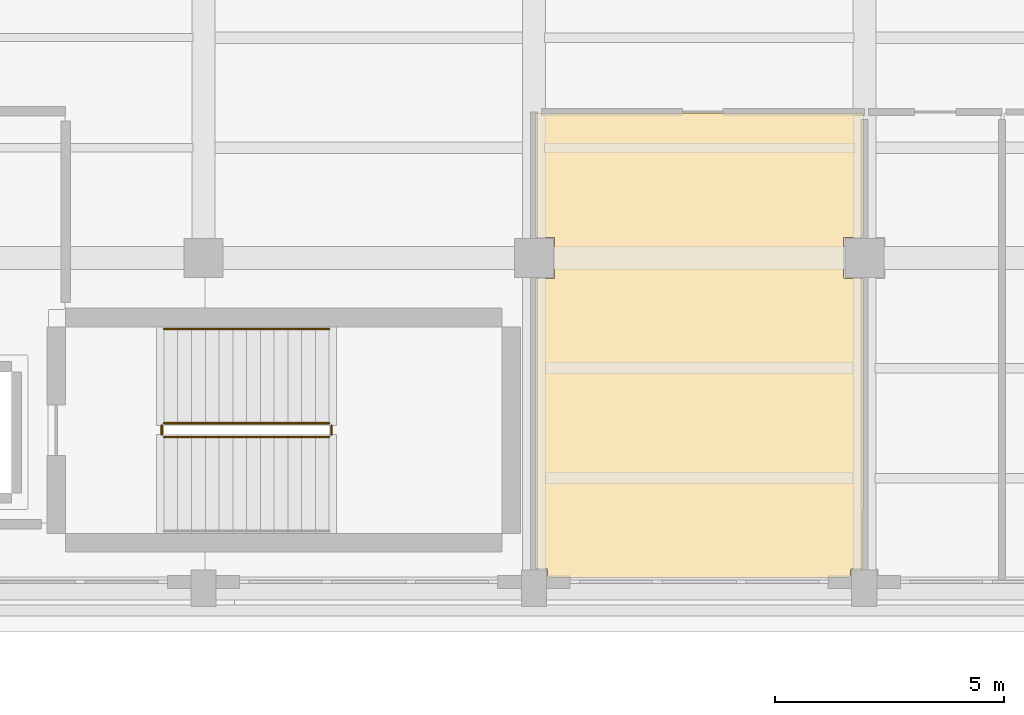
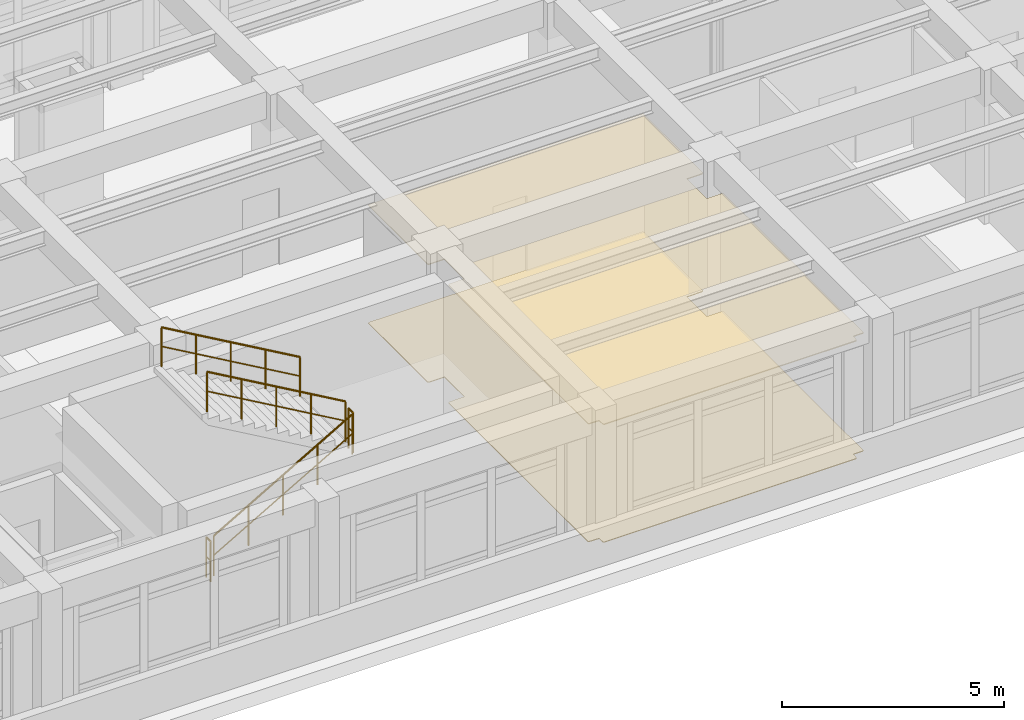
# One storey, part 66 of 69: 5 railings, 2 coverings.
"""IFC4 building model written with IfcOpenShell, lengths in metres."""

from ifc_helpers import new_model, si_unit, direction, frame, origin, origin_2d, place, context, subcontext, project, spatial, polyline, circle, outline, extrude, material, layer, layer_set, type_object, element, save


model = new_model("IFC4")

# Units and contexts
model_context = context("Model", 3, precision=1e-05, world=origin(), true_north=direction((0.0, 1.0)))
body_context = subcontext(model_context, "Body", "Model", "MODEL_VIEW")
ifc_project = project(units=[si_unit("LENGTHUNIT", "METRE"), si_unit("AREAUNIT", "SQUARE_METRE"), si_unit("VOLUMEUNIT", "CUBIC_METRE"), si_unit("PLANEANGLEUNIT", "RADIAN"), si_unit("MASSUNIT", "GRAM", prefix="KILO")], contexts=[model_context])

# Site, building, storey
site_placement = place(None, origin())
site = spatial("IfcSite", under=ifc_project, at=site_placement, CompositionType="ELEMENT")
building_placement = place(site_placement, origin())
building = spatial("IfcBuilding", under=site, at=building_placement, Name="Solenvale Faculty of Natural Sciences", CompositionType="ELEMENT")
storey_placement = place(building_placement, frame((0.0, 0.0, 4.5)))
storey = spatial("IfcBuildingStorey", under=building, at=storey_placement, Name="L01", CompositionType="ELEMENT", Elevation=4.5)

# Coverings
ifc_material_1 = material(Name="Acoustic mineral-timber ceiling", Category="wood")
ifc_layer_1 = layer(ifc_material_1, 0.02490234375)
ifc_layer_set_1 = layer_set([ifc_layer_1], Name="Acoustic mineral-timber ceiling")
covering_type_1 = type_object("IfcCoveringType", Name="COV-CEIL-AC25", PredefinedType="CEILING", material=ifc_layer_set_1)
covering_1_placement = place(storey_placement, frame((0.0, 0.0, 3.235107421875)))
element("IfcCovering", 1, at=covering_1_placement, inside=storey, type_object=covering_type_1, Name="L01 Public Washroom Acoustic Ceiling", PredefinedType="CEILING", context=body_context, shape_type="SweptSolid", body=[
    extrude(outline(polyline([(122.35009765625, 103.9599609375), (122.37109375, 103.950927734375), (122.3798828125, 103.929931640625), (122.3798828125, 101.277099609375), (122.35302734375, 101.25), (121.950927734375, 101.243896484375), (121.949951171875, 100.361083984375), (121.9609375, 100.35009765625), (122.35302734375, 100.35009765625), (122.3798828125, 100.322998046875), (122.375, 94.0380859375), (122.35302734375, 94.02490234375), (122.10400390625, 94.02294921875), (122.09912109375, 93.864013671875), (122.070068359375, 93.840087890625), (115.530029296875, 93.840087890625), (115.5009765625, 93.864013671875), (115.49609375, 94.02294921875), (115.23291015625, 94.030029296875), (115.219970703125, 94.054931640625), (115.219970703125, 100.322998046875), (115.2470703125, 100.35009765625), (115.64892578125, 100.35595703125), (115.64990234375, 101.239013671875), (115.638916015625, 101.25), (115.2470703125, 101.25), (115.220947265625, 101.27392578125), (115.22509765625, 103.947021484375), (115.25, 103.9599609375), (122.35009765625, 103.9599609375)])), origin(), (0.0, 0.0, 1.0), 0.02490234375),
])
ifc_material_2 = material(Name="Polished slate terrazzo flooring", Category="masonry")
ifc_layer_2 = layer(ifc_material_2, 0.01806640625)
ifc_layer_set_2 = layer_set([ifc_layer_2], Name="Polished slate terrazzo flooring")
covering_type_2 = type_object("IfcCoveringType", Name="COV-FLR-TRZ18", PredefinedType="FLOORING", material=ifc_layer_set_2)
covering_2_placement = place(storey_placement, origin())
element("IfcCovering", 2, at=covering_2_placement, inside=storey, type_object=covering_type_2, Name="L01 Public Washroom Floor Finish", PredefinedType="FLOORING", context=body_context, shape_type="SweptSolid", body=[
    extrude(outline(polyline([(122.35009765625, 103.9599609375), (122.37109375, 103.950927734375), (122.3798828125, 103.929931640625), (122.3798828125, 101.277099609375), (122.35302734375, 101.25), (121.950927734375, 101.243896484375), (121.949951171875, 100.361083984375), (121.9609375, 100.35009765625), (122.35302734375, 100.35009765625), (122.3798828125, 100.322998046875), (122.375, 94.0380859375), (122.35302734375, 94.02490234375), (122.10400390625, 94.02294921875), (122.09912109375, 93.864013671875), (122.070068359375, 93.840087890625), (115.530029296875, 93.840087890625), (115.5009765625, 93.864013671875), (115.49609375, 94.02294921875), (115.23291015625, 94.030029296875), (115.219970703125, 94.054931640625), (115.219970703125, 100.322998046875), (115.2470703125, 100.35009765625), (115.64892578125, 100.35595703125), (115.64990234375, 101.239013671875), (115.638916015625, 101.25), (115.2470703125, 101.25), (115.220947265625, 101.27392578125), (115.22509765625, 103.947021484375), (115.25, 103.9599609375), (122.35009765625, 103.9599609375)])), origin(), (0.0, 0.0, 1.0), 0.01806640625),
])

# Railings
ifc_material_3 = material(Name="Stainless steel Grade 304", Category="steel")
railing_type_1 = type_object("IfcRailingType", Name="RL-GRD-1100", PredefinedType="GUARDRAIL", material=ifc_material_3)
railing_1_placement = place(storey_placement, frame((107.139892578125, 96.89990234375, 0.173095703125)))
element("IfcRailing", 3, at=railing_1_placement, inside=storey, type_object=railing_type_1, Name="L01 ST-04 stair guard 1", PredefinedType="GUARDRAIL", context=body_context, shape_type="SweptSolid", body=[
    extrude(circle(Radius=0.02392578125, at=origin_2d()), frame((0.0, 0.0, 1.09619140625), z_axis=(0.866193409371, 0.0, 0.499708892819), x_axis=(0.0, 1.0, 0.0)), (0.0, 0.0, 1.0), 4.15625),
    extrude(circle(Radius=0.01611328125, at=origin_2d()), frame((0.0, 0.0, 0.56005859375), z_axis=(0.866193409371, 0.0, 0.499708892819), x_axis=(0.0, 1.0, 0.0)), (0.0, 0.0, 1.0), 4.15625),
    extrude(circle(Radius=0.02099609375, at=origin_2d()), origin(), (0.0, 0.0, 1.0), 1.072021484375),
    extrude(circle(Radius=0.02099609375, at=origin_2d()), frame((0.89990234375, 0.0, 0.519287109375)), (0.0, 0.0, 1.0), 1.072021484375),
    extrude(circle(Radius=0.02099609375, at=origin_2d()), frame((1.800048828125, 0.0, 1.03857421875)), (0.0, 0.0, 1.0), 1.072021484375),
    extrude(circle(Radius=0.02099609375, at=origin_2d()), frame((2.7001953125, 0.0, 1.5576171875)), (0.0, 0.0, 1.0), 1.072021484375),
    extrude(circle(Radius=0.02099609375, at=origin_2d()), frame((3.60009765625, 0.0, 2.076904296875)), (0.0, 0.0, 1.0), 1.072021484375),
])
railing_2_placement = place(storey_placement, frame((110.7900390625, 96.949951171875, 2.25)))
element("IfcRailing", 4, at=railing_2_placement, inside=storey, type_object=railing_type_1, Name="L01 ST-04 stair guard 2", PredefinedType="GUARDRAIL", context=body_context, shape_type="SweptSolid", body=[
    extrude(circle(Radius=0.02392578125, at=origin_2d()), frame((0.0, 0.0, 1.09619140625), z_axis=(0.0, 1.0, 0.0), x_axis=(-1.0, 0.0, 0.0)), (0.0, 0.0, 1.0), 0.199951171875),
    extrude(circle(Radius=0.01611328125, at=origin_2d()), frame((0.0, 0.0, 0.56005859375), z_axis=(0.0, 1.0, 0.0), x_axis=(-1.0, 0.0, 0.0)), (0.0, 0.0, 1.0), 0.199951171875),
    extrude(circle(Radius=0.02099609375, at=origin_2d()), origin(), (0.0, 0.0, 1.0), 1.072021484375),
    extrude(circle(Radius=0.02099609375, at=origin_2d()), frame((0.0, 0.199951171875, 0.0)), (0.0, 0.0, 1.0), 1.072021484375),
])
railing_3_placement = place(storey_placement, frame((110.739990234375, 97.199951171875, 2.423095703125)))
element("IfcRailing", 5, at=railing_3_placement, inside=storey, type_object=railing_type_1, Name="L01 ST-04 stair guard 3", PredefinedType="GUARDRAIL", context=body_context, shape_type="SweptSolid", body=[
    extrude(circle(Radius=0.02392578125, at=origin_2d()), frame((0.0, 0.0, 1.09619140625), z_axis=(-0.866193409371, 0.0, 0.499708892819), x_axis=(0.0, -1.0, 0.0)), (0.0, 0.0, 1.0), 4.15625),
    extrude(circle(Radius=0.01611328125, at=origin_2d()), frame((0.0, 0.0, 0.56005859375), z_axis=(-0.866193409371, 0.0, 0.499708892819), x_axis=(0.0, -1.0, 0.0)), (0.0, 0.0, 1.0), 4.15625),
    extrude(circle(Radius=0.02099609375, at=origin_2d()), origin(), (0.0, 0.0, 1.0), 1.072021484375),
    extrude(circle(Radius=0.02099609375, at=origin_2d()), frame((-0.89990234375, 0.0, 0.519287109375)), (0.0, 0.0, 1.0), 1.072021484375),
    extrude(circle(Radius=0.02099609375, at=origin_2d()), frame((-1.800048828125, 0.0, 1.03857421875)), (0.0, 0.0, 1.0), 1.072021484375),
    extrude(circle(Radius=0.02099609375, at=origin_2d()), frame((-2.7001953125, 0.0, 1.5576171875)), (0.0, 0.0, 1.0), 1.072021484375),
    extrude(circle(Radius=0.02099609375, at=origin_2d()), frame((-3.60009765625, 0.0, 2.076904296875)), (0.0, 0.0, 1.0), 1.072021484375),
])
railing_4_placement = place(storey_placement, frame((107.090087890625, 96.949951171875, 0.0)))
element("IfcRailing", 6, at=railing_4_placement, inside=storey, type_object=railing_type_1, Name="L01 ST-04 stair guard 4", PredefinedType="GUARDRAIL", context=body_context, shape_type="SweptSolid", body=[
    extrude(circle(Radius=0.02392578125, at=origin_2d()), frame((0.0, 0.0, 1.09619140625), z_axis=(0.0, 1.0, 0.0), x_axis=(-1.0, 0.0, 0.0)), (0.0, 0.0, 1.0), 0.199951171875),
    extrude(circle(Radius=0.01611328125, at=origin_2d()), frame((0.0, 0.0, 0.56005859375), z_axis=(0.0, 1.0, 0.0), x_axis=(-1.0, 0.0, 0.0)), (0.0, 0.0, 1.0), 0.199951171875),
    extrude(circle(Radius=0.02099609375, at=origin_2d()), origin(), (0.0, 0.0, 1.0), 1.072021484375),
    extrude(circle(Radius=0.02099609375, at=origin_2d()), frame((0.0, 0.199951171875, 0.0)), (0.0, 0.0, 1.0), 1.072021484375),
])
railing_type_2 = type_object("IfcRailingType", Name="RL-HND-900", PredefinedType="HANDRAIL", material=ifc_material_3)
railing_5_placement = place(storey_placement, frame((110.739990234375, 99.25, 2.423095703125)))
element("IfcRailing", 7, at=railing_5_placement, inside=storey, type_object=railing_type_2, Name="L01 ST-04 stair handrail 2", PredefinedType="HANDRAIL", context=body_context, shape_type="SweptSolid", body=[
    extrude(circle(Radius=0.02392578125, at=origin_2d()), frame((0.0, 0.0, 1.0732421875), z_axis=(-0.866193409371, 0.0, 0.499708892819), x_axis=(0.0, -1.0, 0.0)), (0.0, 0.0, 1.0), 4.15625),
    extrude(circle(Radius=0.01611328125, at=origin_2d()), frame((0.0, 0.0, 0.548583984375), z_axis=(-0.866193409371, 0.0, 0.499708892819), x_axis=(0.0, -1.0, 0.0)), (0.0, 0.0, 1.0), 4.15625),
    extrude(circle(Radius=0.02099609375, at=origin_2d()), origin(), (0.0, 0.0, 1.0), 1.049072265625),
    extrude(circle(Radius=0.02099609375, at=origin_2d()), frame((-0.89990234375, 0.0, 0.519287109375)), (0.0, 0.0, 1.0), 1.049072265625),
    extrude(circle(Radius=0.02099609375, at=origin_2d()), frame((-1.800048828125, 0.0, 1.03857421875)), (0.0, 0.0, 1.0), 1.049072265625),
    extrude(circle(Radius=0.02099609375, at=origin_2d()), frame((-2.7001953125, 0.0, 1.5576171875)), (0.0, 0.0, 1.0), 1.049072265625),
    extrude(circle(Radius=0.02099609375, at=origin_2d()), frame((-3.60009765625, 0.0, 2.076904296875)), (0.0, 0.0, 1.0), 1.049072265625),
])

save(model, "model.ifc")
